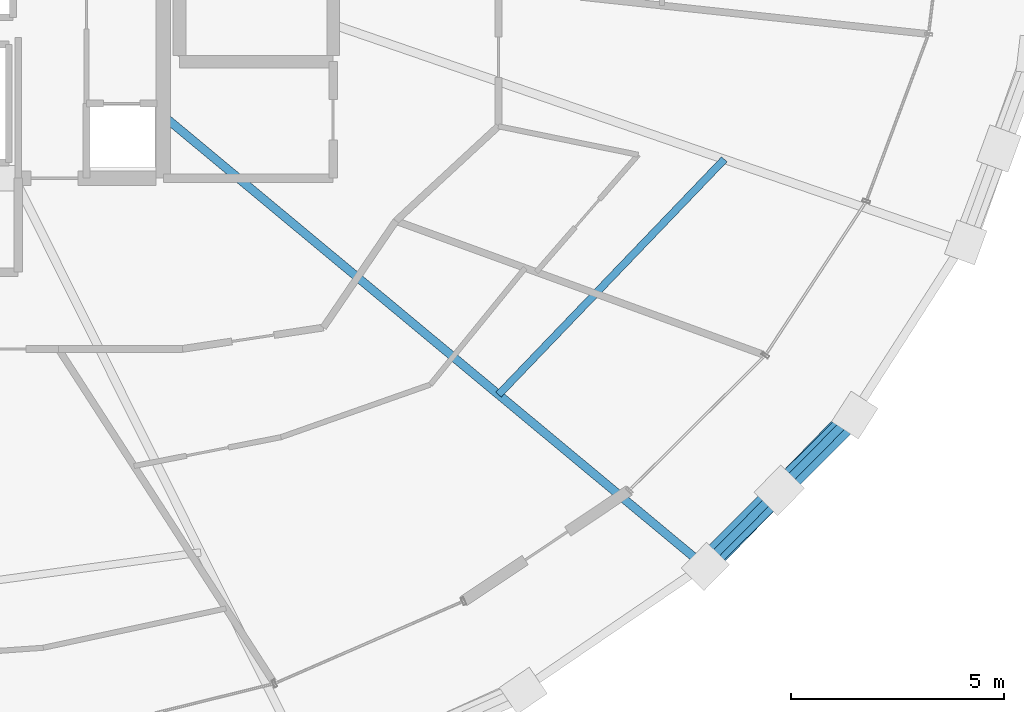
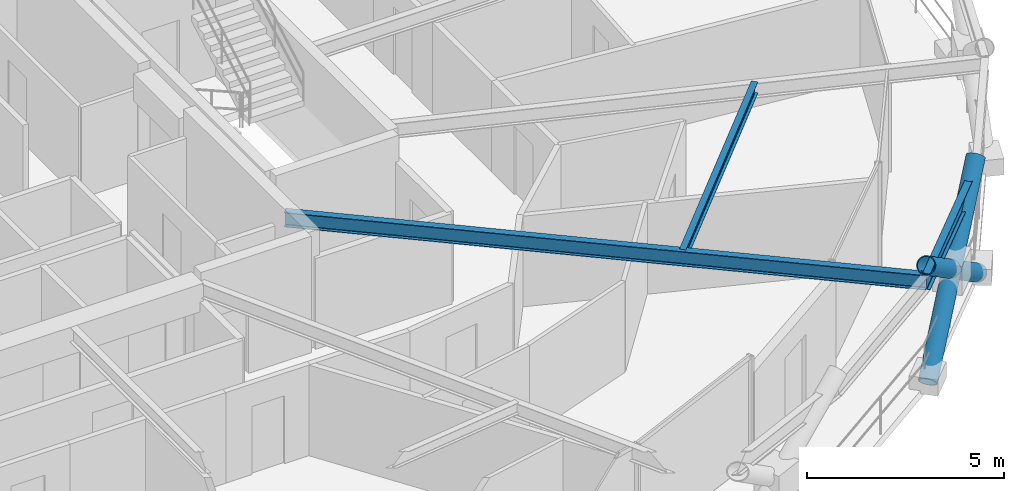
# One storey, part 8 of 19: 3 beams, 3 members.
"""IFC4 building model written with IfcOpenShell, lengths in metres."""

from ifc_helpers import new_model, si_unit, direction, frame, origin, origin_2d, place, context, subcontext, project, spatial, hollow_circle, i_section, extrude, material, material_profile, profile_set, type_object, element, save


model = new_model("IFC4")

# Units and contexts
model_context = context("Model", 3, precision=1e-05, world=origin(), true_north=direction((0.0, 1.0)))
body_context = subcontext(model_context, "Body", "Model", "MODEL_VIEW")
ifc_project = project(units=[si_unit("LENGTHUNIT", "METRE"), si_unit("AREAUNIT", "SQUARE_METRE"), si_unit("VOLUMEUNIT", "CUBIC_METRE"), si_unit("PLANEANGLEUNIT", "RADIAN"), si_unit("MASSUNIT", "GRAM", prefix="KILO")], contexts=[model_context])

# Site, building, storey
site_placement = place(None, origin())
site = spatial("IfcSite", under=ifc_project, at=site_placement, CompositionType="ELEMENT")
building_placement = place(site_placement, origin())
building = spatial("IfcBuilding", under=site, at=building_placement, Name="Veldorina Hangang Commons", CompositionType="ELEMENT")
storey_placement = place(building_placement, frame((0.0, 0.0, 164.0)))
storey = spatial("IfcBuildingStorey", under=building, at=storey_placement, Name="L42", CompositionType="ELEMENT", Elevation=164.0)

# Beams
ifc_material_1 = material(Name="Steel SM355-TMC", Category="steel")
ifc_material_profile_1 = material_profile(ifc_material_1, i_section(OverallWidth=0.199951171875, OverallDepth=0.449951171875, WebThickness=0.009033203125, FlangeThickness=0.013916015625, FilletRadius=0.01611328125, at=origin_2d()), Name="H-450x200x9x14")
ifc_profile_set_1 = profile_set([ifc_material_profile_1], Name="Steel SM355-TMC")
beam_type_1 = type_object("IfcBeamType", Name="BM-FG450", PredefinedType="BEAM", material=ifc_profile_set_1)
beam_1_placement = place(storey_placement, frame((39.199951171875, 18.011962890625, 3.125), z_axis=(0.768854754689, -0.639423463905, 0.0), x_axis=(0.639423463905, 0.768854754689, 0.0)))
element("IfcBeam", 1, at=beam_1_placement, inside=storey, type_object=beam_type_1, Name="L42 radial floor girder 15", PredefinedType="BEAM", context=body_context, shape_type="SweptSolid", body=[
    extrude(i_section(OverallWidth=0.199951171875, OverallDepth=0.449951171875, WebThickness=0.009033203125, FlangeThickness=0.013916015625, FilletRadius=0.01611328125, at=origin_2d()), origin(), (0.0, 0.0, 1.0), 16.480224609375),
])
ifc_material_profile_2 = material_profile(ifc_material_1, i_section(OverallWidth=0.175048828125, OverallDepth=0.35009765625, WebThickness=0.007080078125, FlangeThickness=0.010986328125, FilletRadius=0.012939453125, at=origin_2d()), Name="H-350x175x7x11")
ifc_profile_set_2 = profile_set([ifc_material_profile_2], Name="Steel SM355-TMC")
beam_type_2 = type_object("IfcBeamType", Name="BM-JST350", PredefinedType="JOIST", material=ifc_profile_set_2)
beam_2_placement = place(storey_placement, frame((47.055908203125, 11.478515625, 3.175048828125), z_axis=(0.692319602998, 0.721590997245, 0.0), x_axis=(-0.721590997245, 0.692319602998, 0.0)))
element("IfcBeam", 2, at=beam_2_placement, inside=storey, type_object=beam_type_2, Name="L42 secondary floor joist 15", PredefinedType="JOIST", context=body_context, shape_type="SweptSolid", body=[
    extrude(i_section(OverallWidth=0.175048828125, OverallDepth=0.35009765625, WebThickness=0.007080078125, FlangeThickness=0.010986328125, FilletRadius=0.012939453125, at=origin_2d()), origin(), (0.0, 0.0, 1.0), 7.639892578125),
])
ifc_material_2 = material(Name="Steel SM420-TMC", Category="steel")
ifc_material_profile_3 = material_profile(ifc_material_2, i_section(OverallWidth=0.199951171875, OverallDepth=0.5, WebThickness=0.010009765625, FlangeThickness=0.01611328125, FilletRadius=0.01611328125, at=origin_2d()), Name="H-500x200x10x16")
ifc_profile_set_3 = profile_set([ifc_material_profile_3], Name="Steel SM420-TMC")
beam_type_3 = type_object("IfcBeamType", Name="BM-RB500", PredefinedType="BEAM", material=ifc_profile_set_3)
beam_3_placement = place(storey_placement, frame((51.870849609375, 7.47412109375, 3.10009765625), z_axis=(0.702405281063, 0.711777227182, 0.0), x_axis=(-0.711777227182, 0.702405281063, 0.0)))
element("IfcBeam", 3, at=beam_3_placement, inside=storey, type_object=beam_type_3, Name="L42 perimeter hoop ring beam 28", PredefinedType="BEAM", context=body_context, shape_type="SweptSolid", body=[
    extrude(i_section(OverallWidth=0.199951171875, OverallDepth=0.5, WebThickness=0.010009765625, FlangeThickness=0.01611328125, FilletRadius=0.01611328125, at=origin_2d()), origin(), (0.0, 0.0, 1.0), 4.9755859375),
])

# Members
ifc_material_profile_4 = material_profile(ifc_material_2, hollow_circle(Radius=0.25, WallThickness=0.02490234375, at=origin_2d()), Name="CHS-500x25")
ifc_profile_set_4 = profile_set([ifc_material_profile_4], Name="Steel SM420-TMC")
member_type = type_object("IfcMemberType", Name="DG-CHS500", PredefinedType="BRACE", material=ifc_profile_set_4)
member_1_placement = place(storey_placement, frame((51.8994140625, 7.4541015625, 0.0), z_axis=(0.564098877398, 0.580931116756, 0.586780618377), x_axis=(-0.717423922543, 0.696636860468, 0.0)))
element("IfcMember", 4, at=member_1_placement, inside=storey, type_object=member_type, Name="L42 continuous perimeter diagrid brace 28", PredefinedType="BRACE", context=body_context, shape_type="SweptSolid", body=[
    extrude(hollow_circle(Radius=0.25, WallThickness=0.02490234375, at=origin_2d()), origin(), (0.0, 0.0, 1.0), 6.13525390625),
])
member_2_placement = place(storey_placement, frame((55.3994140625, 11.0, 0.0), z_axis=(-0.574362741312, -0.572459565032, 0.585147406895), x_axis=(0.705932350205, -0.708279264792, 0.0)))
element("IfcMember", 5, at=member_2_placement, inside=storey, type_object=member_type, Name="L42 split perimeter diagrid lower brace 29", PredefinedType="BRACE", context=body_context, shape_type="SweptSolid", body=[
    extrude(hollow_circle(Radius=0.25, WallThickness=0.02490234375, at=origin_2d()), origin(), (0.0, 0.0, 1.0), 3.07861328125),
])
member_3_placement = place(storey_placement, frame((53.631103515625, 9.237548828125, 1.801513671875), z_axis=(-0.574172948237, -0.572663847944, 0.585133781943), x_axis=(0.706175701704, -0.708036636286, 0.0)))
element("IfcMember", 6, at=member_3_placement, inside=storey, type_object=member_type, Name="L42 split perimeter diagrid upper brace 29", PredefinedType="BRACE", context=body_context, shape_type="SweptSolid", body=[
    extrude(hollow_circle(Radius=0.25, WallThickness=0.02490234375, at=origin_2d()), origin(), (0.0, 0.0, 1.0), 3.07373046875),
])

save(model, "model.ifc")
